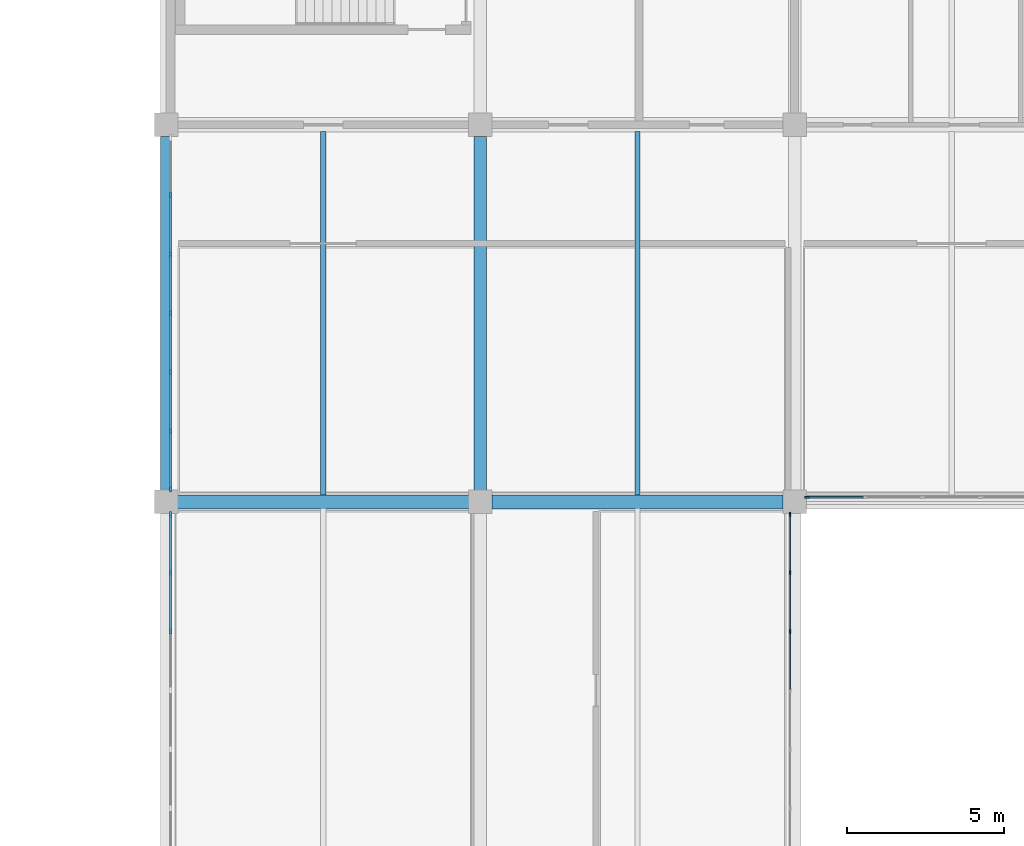
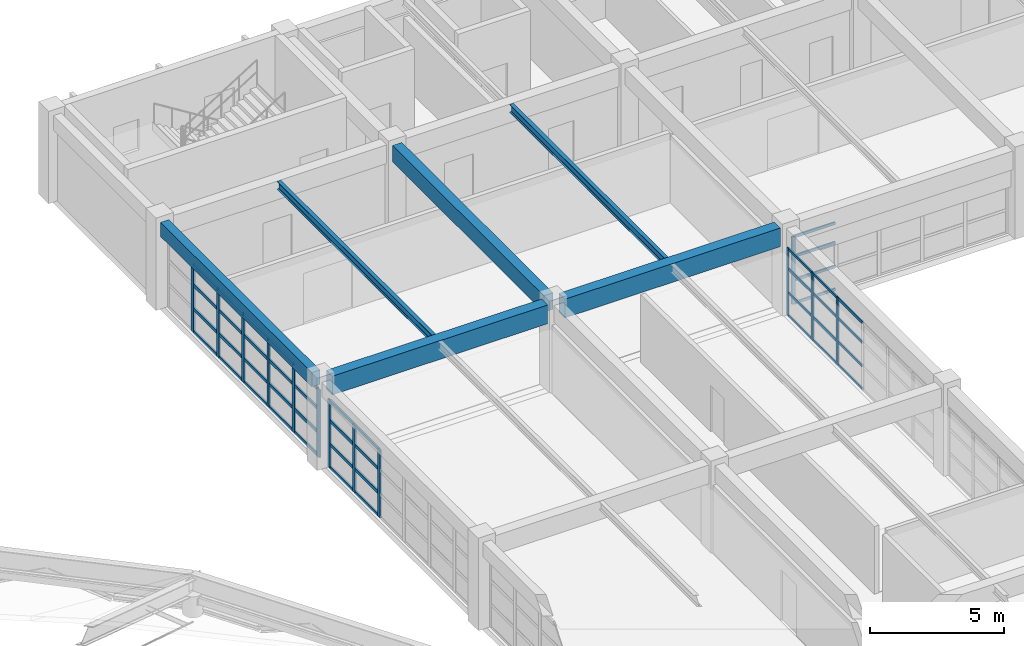
# One storey, part 33 of 83: 57 members, 6 beams, 4 elements without a shape of their own.
"""IFC4 building model written with IfcOpenShell, lengths in metres."""

from ifc_helpers import new_model, si_unit, direction, frame, origin, origin_2d, place, context, subcontext, project, spatial, rectangle, i_section, extrude, material, layer, layer_set, material_profile, profile_set, type_object, element, aggregate, save


model = new_model("IFC4")

# Units and contexts
model_context = context("Model", 3, precision=1e-05, world=origin(), true_north=direction((0.0, 1.0)))
body_context = subcontext(model_context, "Body", "Model", "MODEL_VIEW")
ifc_project = project(units=[si_unit("LENGTHUNIT", "METRE"), si_unit("AREAUNIT", "SQUARE_METRE"), si_unit("VOLUMEUNIT", "CUBIC_METRE"), si_unit("PLANEANGLEUNIT", "RADIAN"), si_unit("MASSUNIT", "GRAM", prefix="KILO")], contexts=[model_context])

# Site, building, storey
site_placement = place(None, origin())
site = spatial("IfcSite", under=ifc_project, at=site_placement, CompositionType="ELEMENT")
building_placement = place(site_placement, origin())
building = spatial("IfcBuilding", under=site, at=building_placement, Name="Kivolera Central Railway Station", CompositionType="ELEMENT")
storey_placement = place(building_placement, frame((0.0, 0.0, 14.39990234375)))
storey = spatial("IfcBuildingStorey", under=building, at=storey_placement, Name="L03", CompositionType="ELEMENT", Elevation=14.39990234375)

# Beams
ifc_material_1 = material(Name="Steel S355", Category="steel")
ifc_material_profile_1 = material_profile(ifc_material_1, i_section(OverallWidth=0.169921875, OverallDepth=0.360107421875, WebThickness=0.008056640625, FlangeThickness=0.0126953125, FilletRadius=0.01806640625, at=origin_2d()), Name="IPE 360")
ifc_profile_set_1 = profile_set([ifc_material_profile_1], Name="Steel S355")
beam_type_1 = type_object("IfcBeamType", Name="BM-JST-IPE360", PredefinedType="JOIST", material=ifc_profile_set_1)
for number, where, z_axis, x_axis, name in (
    (1, (123.0, 114.217041015625, 3.748046875), (0.0, 1.0, 0.0), (-1.0, 0.0, 0.0), "L03 Floor Joist 12-13/K-L"),
    (2, (133.0, 114.217041015625, 3.748046875), (0.0, 1.0, 0.0), (-1.0, 0.0, 0.0), "L03 Floor Joist 13-14/K-L"),
):
    element("IfcBeam", number, at=place(storey_placement, frame(where, z_axis=z_axis, x_axis=x_axis)), inside=storey, type_object=beam_type_1, Name=name, PredefinedType="JOIST", context=body_context, shape_type="SweptSolid", body=[
        extrude(i_section(OverallWidth=0.169921875, OverallDepth=0.360107421875, WebThickness=0.008056640625, FlangeThickness=0.0126953125, FilletRadius=0.01806640625, at=origin_2d()), origin(), (0.0, 0.0, 1.0), 11.56591796875),
    ])
ifc_material_2 = material(Name="Concrete C40/50", Category="concrete")
ifc_material_profile_2 = material_profile(ifc_material_2, rectangle(XDim=0.39990234375, YDim=0.75, at=origin_2d()), Name="RC 400x750")
ifc_profile_set_2 = profile_set([ifc_material_profile_2], Name="Concrete C40/50")
beam_type_2 = type_object("IfcBeamType", Name="BM-RC-400x750", PredefinedType="BEAM", material=ifc_profile_set_2)
beam_1_placement = place(storey_placement, frame((128.0, 114.366943359375, 3.565185546875), z_axis=(0.0, 1.0, 0.0), x_axis=(-1.0, 0.0, 0.0)))
element("IfcBeam", 3, at=beam_1_placement, inside=storey, type_object=beam_type_2, Name="L03 Wing Y-Beam 13:K-L", PredefinedType="BEAM", context=body_context, shape_type="SweptSolid", body=[
    extrude(rectangle(XDim=0.39990234375, YDim=0.75, at=origin_2d()), origin(), (0.0, 0.0, 1.0), 11.26611328125),
])
ifc_material_profile_3 = material_profile(ifc_material_2, rectangle(XDim=0.449951171875, YDim=0.85009765625, at=origin_2d()), Name="RC 450x850")
ifc_profile_set_3 = profile_set([ifc_material_profile_3], Name="Concrete C40/50")
beam_type_3 = type_object("IfcBeamType", Name="BM-RC-450x850", PredefinedType="BEAM", material=ifc_profile_set_3)
for number, where, z_axis, x_axis, name in (
    (4, (118.366943359375, 114.0, 3.51513671875), (1.0, 0.0, 0.0), (0.0, 1.0, 0.0), "L03 Wing X-Beam K:12-13"),
    (5, (128.366943359375, 114.0, 3.51513671875), (1.0, 0.0, 0.0), (0.0, 1.0, 0.0), "L03 Wing X-Beam K:13-14"),
):
    element("IfcBeam", number, at=place(storey_placement, frame(where, z_axis=z_axis, x_axis=x_axis)), inside=storey, type_object=beam_type_3, Name=name, PredefinedType="BEAM", context=body_context, shape_type="SweptSolid", body=[
        extrude(rectangle(XDim=0.449951171875, YDim=0.85009765625, at=origin_2d()), origin(), (0.0, 0.0, 1.0), 9.26611328125),
    ])
ifc_material_profile_4 = material_profile(ifc_material_2, rectangle(XDim=0.35009765625, YDim=0.64990234375, at=origin_2d()), Name="RC 350x650")
ifc_profile_set_4 = profile_set([ifc_material_profile_4], Name="Concrete C40/50")
beam_type_4 = type_object("IfcBeamType", Name="BM-SPN-RC650", PredefinedType="SPANDREL", material=ifc_profile_set_4)
beam_2_placement = place(storey_placement, frame((118.0, 114.366943359375, 3.614990234375), z_axis=(0.0, 1.0, 0.0), x_axis=(-1.0, 0.0, 0.0)))
element("IfcBeam", 6, at=beam_2_placement, inside=storey, type_object=beam_type_4, Name="L03 Wing Y-Beam 12:K-L", PredefinedType="SPANDREL", context=body_context, shape_type="SweptSolid", body=[
    extrude(rectangle(XDim=0.35009765625, YDim=0.64990234375, at=origin_2d()), origin(), (0.0, 0.0, 1.0), 11.26611328125),
])

# Curtain wall, members
ifc_material_3 = material(Name="Anodised aluminium", Category="aluminium")
ifc_layer_1 = layer(ifc_material_3, 0.179931640625, Name="Anodised aluminium")
ifc_layer_set_1 = layer_set([ifc_layer_1], Name="Anodised aluminium")
curtain_wall_type_1 = type_object("IfcCurtainWallType", Name="CW-SYS-30", PredefinedType="NOTDEFINED", material=ifc_layer_set_1)
curtain_wall_1_placement = place(storey_placement, origin())
curtain_wall_1 = element("IfcCurtainWall", 7, at=curtain_wall_1_placement, inside=storey, type_object=curtain_wall_type_1, Name="L03 Curtain Wall CW-L03-WEST-J", PredefinedType="NOTDEFINED")
ifc_material_profile_5 = material_profile(ifc_material_3, rectangle(XDim=0.070068359375, YDim=0.179931640625, at=origin_2d()), Name="ALU MULL 70x180")
ifc_profile_set_5 = profile_set([ifc_material_profile_5], Name="Anodised aluminium")
member_type_1 = type_object("IfcMemberType", Name="CWM-MUL-1", PredefinedType="MULLION", material=ifc_profile_set_5)
member_1_placement = place(storey_placement, frame((118.14501953125, 109.876708984375, -0.0048828125), z_axis=(0.0, 0.0, 1.0), x_axis=(-1.0, 0.0, 0.0)))
member_1 = element("IfcMember", 8, at=member_1_placement, type_object=member_type_1, Name="CW-30 mullion 5", PredefinedType="MULLION", context=body_context, shape_type="SweptSolid", body=[
    extrude(rectangle(XDim=0.070068359375, YDim=0.179931640625, at=origin_2d()), origin(), (0.0, 0.0, 1.0), 3.0830078125),
])
member_2_placement = place(storey_placement, frame((118.14501953125, 111.75341796875, -0.0048828125), z_axis=(0.0, 0.0, 1.0), x_axis=(-1.0, 0.0, 0.0)))
member_2 = element("IfcMember", 9, at=member_2_placement, type_object=member_type_1, Name="CW-30 mullion 6", PredefinedType="MULLION", context=body_context, shape_type="SweptSolid", body=[
    extrude(rectangle(XDim=0.070068359375, YDim=0.179931640625, at=origin_2d()), origin(), (0.0, 0.0, 1.0), 3.0830078125),
])
member_3_placement = place(storey_placement, frame((118.14501953125, 113.594970703125, -0.0048828125), z_axis=(0.0, 0.0, 1.0), x_axis=(-1.0, 0.0, 0.0)))
member_3 = element("IfcMember", 10, at=member_3_placement, type_object=member_type_1, Name="CW-30 mullion 7", PredefinedType="MULLION", context=body_context, shape_type="SweptSolid", body=[
    extrude(rectangle(XDim=0.070068359375, YDim=0.179931640625, at=origin_2d()), origin(), (0.0, 0.0, 1.0), 3.0830078125),
])

curtain_wall_2_placement = place(storey_placement, origin())
curtain_wall_2 = element("IfcCurtainWall", 11, at=curtain_wall_2_placement, inside=storey, type_object=curtain_wall_type_1, Name="L03 Curtain Wall CW-L03-WEST-K", PredefinedType="NOTDEFINED")
member_4_placement = place(storey_placement, frame((118.14501953125, 114.405029296875, -0.0048828125), z_axis=(0.0, 0.0, 1.0), x_axis=(-1.0, 0.0, 0.0)))
member_4 = element("IfcMember", 12, at=member_4_placement, type_object=member_type_1, Name="CW-30 mullion 1", PredefinedType="MULLION", context=body_context, shape_type="SweptSolid", body=[
    extrude(rectangle(XDim=0.070068359375, YDim=0.179931640625, at=origin_2d()), origin(), (0.0, 0.0, 1.0), 3.0830078125),
])
member_5_placement = place(storey_placement, frame((118.14501953125, 116.24658203125, -0.0048828125), z_axis=(0.0, 0.0, 1.0), x_axis=(-1.0, 0.0, 0.0)))
member_5 = element("IfcMember", 13, at=member_5_placement, type_object=member_type_1, Name="CW-30 mullion 2", PredefinedType="MULLION", context=body_context, shape_type="SweptSolid", body=[
    extrude(rectangle(XDim=0.070068359375, YDim=0.179931640625, at=origin_2d()), origin(), (0.0, 0.0, 1.0), 3.0830078125),
])
member_6_placement = place(storey_placement, frame((118.14501953125, 118.123291015625, -0.0048828125), z_axis=(0.0, 0.0, 1.0), x_axis=(-1.0, 0.0, 0.0)))
member_6 = element("IfcMember", 14, at=member_6_placement, type_object=member_type_1, Name="CW-30 mullion 3", PredefinedType="MULLION", context=body_context, shape_type="SweptSolid", body=[
    extrude(rectangle(XDim=0.070068359375, YDim=0.179931640625, at=origin_2d()), origin(), (0.0, 0.0, 1.0), 3.0830078125),
])
member_7_placement = place(storey_placement, frame((118.14501953125, 120.0, -0.0048828125), z_axis=(0.0, 0.0, 1.0), x_axis=(-1.0, 0.0, 0.0)))
member_7 = element("IfcMember", 15, at=member_7_placement, type_object=member_type_1, Name="CW-30 mullion 4", PredefinedType="MULLION", context=body_context, shape_type="SweptSolid", body=[
    extrude(rectangle(XDim=0.070068359375, YDim=0.179931640625, at=origin_2d()), origin(), (0.0, 0.0, 1.0), 3.0830078125),
])
member_8_placement = place(storey_placement, frame((118.14501953125, 121.876708984375, -0.0048828125), z_axis=(0.0, 0.0, 1.0), x_axis=(-1.0, 0.0, 0.0)))
member_8 = element("IfcMember", 16, at=member_8_placement, type_object=member_type_1, Name="CW-30 mullion 5", PredefinedType="MULLION", context=body_context, shape_type="SweptSolid", body=[
    extrude(rectangle(XDim=0.070068359375, YDim=0.179931640625, at=origin_2d()), origin(), (0.0, 0.0, 1.0), 3.0830078125),
])
member_9_placement = place(storey_placement, frame((118.14501953125, 123.75341796875, -0.0048828125), z_axis=(0.0, 0.0, 1.0), x_axis=(-1.0, 0.0, 0.0)))
member_9 = element("IfcMember", 17, at=member_9_placement, type_object=member_type_1, Name="CW-30 mullion 6", PredefinedType="MULLION", context=body_context, shape_type="SweptSolid", body=[
    extrude(rectangle(XDim=0.070068359375, YDim=0.179931640625, at=origin_2d()), origin(), (0.0, 0.0, 1.0), 3.0830078125),
])

# Curtain wall, member
ifc_layer_2 = layer(ifc_material_3, 0.179931640625, Name="Anodised aluminium")
ifc_layer_set_2 = layer_set([ifc_layer_2], Name="Anodised aluminium")
curtain_wall_type_2 = type_object("IfcCurtainWallType", Name="CW-SYS-29", PredefinedType="NOTDEFINED", material=ifc_layer_set_2)
curtain_wall_3_placement = place(storey_placement, origin())
curtain_wall_3 = element("IfcCurtainWall", 18, at=curtain_wall_3_placement, inside=storey, type_object=curtain_wall_type_2, Name="L03 Curtain Wall CW-L03-CRTN-138", PredefinedType="NOTDEFINED")
ifc_material_profile_6 = material_profile(ifc_material_3, rectangle(XDim=0.06005859375, YDim=0.14990234375, at=origin_2d()), Name="ALU MULL 60x150")
ifc_profile_set_6 = profile_set([ifc_material_profile_6], Name="Anodised aluminium")
member_type_2 = type_object("IfcMemberType", Name="CWM-MUL-2", PredefinedType="MULLION", material=ifc_profile_set_6)
member_10_placement = place(storey_placement, frame((138.39990234375, 114.14501953125, -0.0048828125), z_axis=(0.0, 0.0, 1.0), x_axis=(0.0, -1.0, 0.0)))
member_10 = element("IfcMember", 19, at=member_10_placement, type_object=member_type_2, Name="CW-29 mullion 6", PredefinedType="MULLION", context=body_context, shape_type="SweptSolid", body=[
    extrude(rectangle(XDim=0.06005859375, YDim=0.14990234375, at=origin_2d()), origin(), (0.0, 0.0, 1.0), 3.0830078125),
])

# Curtain wall, members
curtain_wall_4_placement = place(storey_placement, origin())
curtain_wall_4 = element("IfcCurtainWall", 20, at=curtain_wall_4_placement, inside=storey, type_object=curtain_wall_type_1, Name="L03 Curtain Wall CW-L03-CRTW-J", PredefinedType="NOTDEFINED")
member_11_placement = place(storey_placement, frame((137.85498046875, 113.60009765625, -0.0048828125), z_axis=(0.0, 0.0, 1.0), x_axis=(1.0, 0.0, 0.0)))
member_11 = element("IfcMember", 21, at=member_11_placement, type_object=member_type_2, Name="CW-30 mullion 1", PredefinedType="MULLION", context=body_context, shape_type="SweptSolid", body=[
    extrude(rectangle(XDim=0.06005859375, YDim=0.14990234375, at=origin_2d()), origin(), (0.0, 0.0, 1.0), 3.0830078125),
])
member_12_placement = place(storey_placement, frame((137.85498046875, 111.75341796875, -0.0048828125), z_axis=(0.0, 0.0, 1.0), x_axis=(1.0, 0.0, 0.0)))
member_12 = element("IfcMember", 22, at=member_12_placement, type_object=member_type_2, Name="CW-30 mullion 2", PredefinedType="MULLION", context=body_context, shape_type="SweptSolid", body=[
    extrude(rectangle(XDim=0.06005859375, YDim=0.14990234375, at=origin_2d()), origin(), (0.0, 0.0, 1.0), 3.0830078125),
])
member_13_placement = place(storey_placement, frame((137.85498046875, 109.876708984375, -0.0048828125), z_axis=(0.0, 0.0, 1.0), x_axis=(1.0, 0.0, 0.0)))
member_13 = element("IfcMember", 23, at=member_13_placement, type_object=member_type_2, Name="CW-30 mullion 3", PredefinedType="MULLION", context=body_context, shape_type="SweptSolid", body=[
    extrude(rectangle(XDim=0.06005859375, YDim=0.14990234375, at=origin_2d()), origin(), (0.0, 0.0, 1.0), 3.0830078125),
])

# Member
ifc_material_profile_7 = material_profile(ifc_material_3, rectangle(XDim=0.070068359375, YDim=0.139892578125, at=origin_2d()), Name="ALU TRAN 70x140")
ifc_profile_set_7 = profile_set([ifc_material_profile_7], Name="Anodised aluminium")
member_type_3 = type_object("IfcMemberType", Name="CWM-TRN-1", PredefinedType="USERDEFINED", material=ifc_profile_set_7)
member_14_placement = place(storey_placement, frame((118.14501953125, 109.91162109375, 0.03515625), z_axis=(0.0, 1.0, 0.0), x_axis=(-1.0, 0.0, 0.0)))
member_14 = element("IfcMember", 24, at=member_14_placement, type_object=member_type_3, Name="CW-30 transom 5.1", ObjectType="TRANSOM", PredefinedType="USERDEFINED", context=body_context, shape_type="SweptSolid", body=[
    extrude(rectangle(XDim=0.070068359375, YDim=0.139892578125, at=origin_2d()), origin(), (0.0, 0.0, 1.0), 1.806640625),
])

member_15_placement = place(storey_placement, frame((118.14501953125, 109.91162109375, 1.077392578125), z_axis=(0.0, 1.0, 0.0), x_axis=(-1.0, 0.0, 0.0)))
member_15 = element("IfcMember", 25, at=member_15_placement, type_object=member_type_3, Name="CW-30 transom 5.2", ObjectType="TRANSOM", PredefinedType="USERDEFINED", context=body_context, shape_type="SweptSolid", body=[
    extrude(rectangle(XDim=0.070068359375, YDim=0.139892578125, at=origin_2d()), origin(), (0.0, 0.0, 1.0), 1.806640625),
])

member_16_placement = place(storey_placement, frame((118.14501953125, 109.91162109375, 2.15478515625), z_axis=(0.0, 1.0, 0.0), x_axis=(-1.0, 0.0, 0.0)))
member_16 = element("IfcMember", 26, at=member_16_placement, type_object=member_type_3, Name="CW-30 transom 5.3", ObjectType="TRANSOM", PredefinedType="USERDEFINED", context=body_context, shape_type="SweptSolid", body=[
    extrude(rectangle(XDim=0.070068359375, YDim=0.139892578125, at=origin_2d()), origin(), (0.0, 0.0, 1.0), 1.806640625),
])

member_17_placement = place(storey_placement, frame((118.14501953125, 109.91162109375, 3.043212890625), z_axis=(0.0, 1.0, 0.0), x_axis=(-1.0, 0.0, 0.0)))
member_17 = element("IfcMember", 27, at=member_17_placement, type_object=member_type_3, Name="CW-30 transom 5.4", ObjectType="TRANSOM", PredefinedType="USERDEFINED", context=body_context, shape_type="SweptSolid", body=[
    extrude(rectangle(XDim=0.070068359375, YDim=0.139892578125, at=origin_2d()), origin(), (0.0, 0.0, 1.0), 1.806640625),
])

member_18_placement = place(storey_placement, frame((118.14501953125, 111.788330078125, 0.03515625), z_axis=(0.0, 1.0, 0.0), x_axis=(-1.0, 0.0, 0.0)))
member_18 = element("IfcMember", 28, at=member_18_placement, type_object=member_type_3, Name="CW-30 transom 6.1", ObjectType="TRANSOM", PredefinedType="USERDEFINED", context=body_context, shape_type="SweptSolid", body=[
    extrude(rectangle(XDim=0.070068359375, YDim=0.139892578125, at=origin_2d()), origin(), (0.0, 0.0, 1.0), 1.771728515625),
])

member_19_placement = place(storey_placement, frame((118.14501953125, 111.788330078125, 1.077392578125), z_axis=(0.0, 1.0, 0.0), x_axis=(-1.0, 0.0, 0.0)))
member_19 = element("IfcMember", 29, at=member_19_placement, type_object=member_type_3, Name="CW-30 transom 6.2", ObjectType="TRANSOM", PredefinedType="USERDEFINED", context=body_context, shape_type="SweptSolid", body=[
    extrude(rectangle(XDim=0.070068359375, YDim=0.139892578125, at=origin_2d()), origin(), (0.0, 0.0, 1.0), 1.771728515625),
])

member_20_placement = place(storey_placement, frame((118.14501953125, 111.788330078125, 2.15478515625), z_axis=(0.0, 1.0, 0.0), x_axis=(-1.0, 0.0, 0.0)))
member_20 = element("IfcMember", 30, at=member_20_placement, type_object=member_type_3, Name="CW-30 transom 6.3", ObjectType="TRANSOM", PredefinedType="USERDEFINED", context=body_context, shape_type="SweptSolid", body=[
    extrude(rectangle(XDim=0.070068359375, YDim=0.139892578125, at=origin_2d()), origin(), (0.0, 0.0, 1.0), 1.771728515625),
])

member_21_placement = place(storey_placement, frame((118.14501953125, 111.788330078125, 3.043212890625), z_axis=(0.0, 1.0, 0.0), x_axis=(-1.0, 0.0, 0.0)))
member_21 = element("IfcMember", 31, at=member_21_placement, type_object=member_type_3, Name="CW-30 transom 6.4", ObjectType="TRANSOM", PredefinedType="USERDEFINED", context=body_context, shape_type="SweptSolid", body=[
    extrude(rectangle(XDim=0.070068359375, YDim=0.139892578125, at=origin_2d()), origin(), (0.0, 0.0, 1.0), 1.771728515625),
])

aggregate(curtain_wall_1, [member_1, member_2, member_3, member_14, member_15, member_16, member_17, member_18, member_19, member_20, member_21])

member_22_placement = place(storey_placement, frame((118.14501953125, 114.43994140625, 0.03515625), z_axis=(0.0, 1.0, 0.0), x_axis=(-1.0, 0.0, 0.0)))
member_22 = element("IfcMember", 32, at=member_22_placement, type_object=member_type_3, Name="CW-30 transom 1.1", ObjectType="TRANSOM", PredefinedType="USERDEFINED", context=body_context, shape_type="SweptSolid", body=[
    extrude(rectangle(XDim=0.070068359375, YDim=0.139892578125, at=origin_2d()), origin(), (0.0, 0.0, 1.0), 1.771728515625),
])

member_23_placement = place(storey_placement, frame((118.14501953125, 114.43994140625, 1.077392578125), z_axis=(0.0, 1.0, 0.0), x_axis=(-1.0, 0.0, 0.0)))
member_23 = element("IfcMember", 33, at=member_23_placement, type_object=member_type_3, Name="CW-30 transom 1.2", ObjectType="TRANSOM", PredefinedType="USERDEFINED", context=body_context, shape_type="SweptSolid", body=[
    extrude(rectangle(XDim=0.070068359375, YDim=0.139892578125, at=origin_2d()), origin(), (0.0, 0.0, 1.0), 1.771728515625),
])

member_24_placement = place(storey_placement, frame((118.14501953125, 114.43994140625, 2.15478515625), z_axis=(0.0, 1.0, 0.0), x_axis=(-1.0, 0.0, 0.0)))
member_24 = element("IfcMember", 34, at=member_24_placement, type_object=member_type_3, Name="CW-30 transom 1.3", ObjectType="TRANSOM", PredefinedType="USERDEFINED", context=body_context, shape_type="SweptSolid", body=[
    extrude(rectangle(XDim=0.070068359375, YDim=0.139892578125, at=origin_2d()), origin(), (0.0, 0.0, 1.0), 1.771728515625),
])

member_25_placement = place(storey_placement, frame((118.14501953125, 114.43994140625, 3.043212890625), z_axis=(0.0, 1.0, 0.0), x_axis=(-1.0, 0.0, 0.0)))
member_25 = element("IfcMember", 35, at=member_25_placement, type_object=member_type_3, Name="CW-30 transom 1.4", ObjectType="TRANSOM", PredefinedType="USERDEFINED", context=body_context, shape_type="SweptSolid", body=[
    extrude(rectangle(XDim=0.070068359375, YDim=0.139892578125, at=origin_2d()), origin(), (0.0, 0.0, 1.0), 1.771728515625),
])

member_26_placement = place(storey_placement, frame((118.14501953125, 116.28173828125, 0.03515625), z_axis=(0.0, 1.0, 0.0), x_axis=(-1.0, 0.0, 0.0)))
member_26 = element("IfcMember", 36, at=member_26_placement, type_object=member_type_3, Name="CW-30 transom 2.1", ObjectType="TRANSOM", PredefinedType="USERDEFINED", context=body_context, shape_type="SweptSolid", body=[
    extrude(rectangle(XDim=0.070068359375, YDim=0.139892578125, at=origin_2d()), origin(), (0.0, 0.0, 1.0), 1.806640625),
])

member_27_placement = place(storey_placement, frame((118.14501953125, 116.28173828125, 1.077392578125), z_axis=(0.0, 1.0, 0.0), x_axis=(-1.0, 0.0, 0.0)))
member_27 = element("IfcMember", 37, at=member_27_placement, type_object=member_type_3, Name="CW-30 transom 2.2", ObjectType="TRANSOM", PredefinedType="USERDEFINED", context=body_context, shape_type="SweptSolid", body=[
    extrude(rectangle(XDim=0.070068359375, YDim=0.139892578125, at=origin_2d()), origin(), (0.0, 0.0, 1.0), 1.806640625),
])

member_28_placement = place(storey_placement, frame((118.14501953125, 116.28173828125, 2.15478515625), z_axis=(0.0, 1.0, 0.0), x_axis=(-1.0, 0.0, 0.0)))
member_28 = element("IfcMember", 38, at=member_28_placement, type_object=member_type_3, Name="CW-30 transom 2.3", ObjectType="TRANSOM", PredefinedType="USERDEFINED", context=body_context, shape_type="SweptSolid", body=[
    extrude(rectangle(XDim=0.070068359375, YDim=0.139892578125, at=origin_2d()), origin(), (0.0, 0.0, 1.0), 1.806640625),
])

member_29_placement = place(storey_placement, frame((118.14501953125, 116.28173828125, 3.043212890625), z_axis=(0.0, 1.0, 0.0), x_axis=(-1.0, 0.0, 0.0)))
member_29 = element("IfcMember", 39, at=member_29_placement, type_object=member_type_3, Name="CW-30 transom 2.4", ObjectType="TRANSOM", PredefinedType="USERDEFINED", context=body_context, shape_type="SweptSolid", body=[
    extrude(rectangle(XDim=0.070068359375, YDim=0.139892578125, at=origin_2d()), origin(), (0.0, 0.0, 1.0), 1.806640625),
])

member_30_placement = place(storey_placement, frame((118.14501953125, 118.158447265625, 0.03515625), z_axis=(0.0, 1.0, 0.0), x_axis=(-1.0, 0.0, 0.0)))
member_30 = element("IfcMember", 40, at=member_30_placement, type_object=member_type_3, Name="CW-30 transom 3.1", ObjectType="TRANSOM", PredefinedType="USERDEFINED", context=body_context, shape_type="SweptSolid", body=[
    extrude(rectangle(XDim=0.070068359375, YDim=0.139892578125, at=origin_2d()), origin(), (0.0, 0.0, 1.0), 1.806640625),
])

member_31_placement = place(storey_placement, frame((118.14501953125, 118.158447265625, 1.077392578125), z_axis=(0.0, 1.0, 0.0), x_axis=(-1.0, 0.0, 0.0)))
member_31 = element("IfcMember", 41, at=member_31_placement, type_object=member_type_3, Name="CW-30 transom 3.2", ObjectType="TRANSOM", PredefinedType="USERDEFINED", context=body_context, shape_type="SweptSolid", body=[
    extrude(rectangle(XDim=0.070068359375, YDim=0.139892578125, at=origin_2d()), origin(), (0.0, 0.0, 1.0), 1.806640625),
])

member_32_placement = place(storey_placement, frame((118.14501953125, 118.158447265625, 2.15478515625), z_axis=(0.0, 1.0, 0.0), x_axis=(-1.0, 0.0, 0.0)))
member_32 = element("IfcMember", 42, at=member_32_placement, type_object=member_type_3, Name="CW-30 transom 3.3", ObjectType="TRANSOM", PredefinedType="USERDEFINED", context=body_context, shape_type="SweptSolid", body=[
    extrude(rectangle(XDim=0.070068359375, YDim=0.139892578125, at=origin_2d()), origin(), (0.0, 0.0, 1.0), 1.806640625),
])

member_33_placement = place(storey_placement, frame((118.14501953125, 118.158447265625, 3.043212890625), z_axis=(0.0, 1.0, 0.0), x_axis=(-1.0, 0.0, 0.0)))
member_33 = element("IfcMember", 43, at=member_33_placement, type_object=member_type_3, Name="CW-30 transom 3.4", ObjectType="TRANSOM", PredefinedType="USERDEFINED", context=body_context, shape_type="SweptSolid", body=[
    extrude(rectangle(XDim=0.070068359375, YDim=0.139892578125, at=origin_2d()), origin(), (0.0, 0.0, 1.0), 1.806640625),
])

member_34_placement = place(storey_placement, frame((118.14501953125, 120.034912109375, 0.03515625), z_axis=(0.0, 1.0, 0.0), x_axis=(-1.0, 0.0, 0.0)))
member_34 = element("IfcMember", 44, at=member_34_placement, type_object=member_type_3, Name="CW-30 transom 4.1", ObjectType="TRANSOM", PredefinedType="USERDEFINED", context=body_context, shape_type="SweptSolid", body=[
    extrude(rectangle(XDim=0.070068359375, YDim=0.139892578125, at=origin_2d()), origin(), (0.0, 0.0, 1.0), 1.806640625),
])

member_35_placement = place(storey_placement, frame((118.14501953125, 120.034912109375, 1.077392578125), z_axis=(0.0, 1.0, 0.0), x_axis=(-1.0, 0.0, 0.0)))
member_35 = element("IfcMember", 45, at=member_35_placement, type_object=member_type_3, Name="CW-30 transom 4.2", ObjectType="TRANSOM", PredefinedType="USERDEFINED", context=body_context, shape_type="SweptSolid", body=[
    extrude(rectangle(XDim=0.070068359375, YDim=0.139892578125, at=origin_2d()), origin(), (0.0, 0.0, 1.0), 1.806640625),
])

member_36_placement = place(storey_placement, frame((118.14501953125, 120.034912109375, 2.15478515625), z_axis=(0.0, 1.0, 0.0), x_axis=(-1.0, 0.0, 0.0)))
member_36 = element("IfcMember", 46, at=member_36_placement, type_object=member_type_3, Name="CW-30 transom 4.3", ObjectType="TRANSOM", PredefinedType="USERDEFINED", context=body_context, shape_type="SweptSolid", body=[
    extrude(rectangle(XDim=0.070068359375, YDim=0.139892578125, at=origin_2d()), origin(), (0.0, 0.0, 1.0), 1.806640625),
])

member_37_placement = place(storey_placement, frame((118.14501953125, 120.034912109375, 3.043212890625), z_axis=(0.0, 1.0, 0.0), x_axis=(-1.0, 0.0, 0.0)))
member_37 = element("IfcMember", 47, at=member_37_placement, type_object=member_type_3, Name="CW-30 transom 4.4", ObjectType="TRANSOM", PredefinedType="USERDEFINED", context=body_context, shape_type="SweptSolid", body=[
    extrude(rectangle(XDim=0.070068359375, YDim=0.139892578125, at=origin_2d()), origin(), (0.0, 0.0, 1.0), 1.806640625),
])

member_38_placement = place(storey_placement, frame((118.14501953125, 121.91162109375, 0.03515625), z_axis=(0.0, 1.0, 0.0), x_axis=(-1.0, 0.0, 0.0)))
member_38 = element("IfcMember", 48, at=member_38_placement, type_object=member_type_3, Name="CW-30 transom 5.1", ObjectType="TRANSOM", PredefinedType="USERDEFINED", context=body_context, shape_type="SweptSolid", body=[
    extrude(rectangle(XDim=0.070068359375, YDim=0.139892578125, at=origin_2d()), origin(), (0.0, 0.0, 1.0), 1.806640625),
])

member_39_placement = place(storey_placement, frame((118.14501953125, 121.91162109375, 1.077392578125), z_axis=(0.0, 1.0, 0.0), x_axis=(-1.0, 0.0, 0.0)))
member_39 = element("IfcMember", 49, at=member_39_placement, type_object=member_type_3, Name="CW-30 transom 5.2", ObjectType="TRANSOM", PredefinedType="USERDEFINED", context=body_context, shape_type="SweptSolid", body=[
    extrude(rectangle(XDim=0.070068359375, YDim=0.139892578125, at=origin_2d()), origin(), (0.0, 0.0, 1.0), 1.806640625),
])

member_40_placement = place(storey_placement, frame((118.14501953125, 121.91162109375, 2.15478515625), z_axis=(0.0, 1.0, 0.0), x_axis=(-1.0, 0.0, 0.0)))
member_40 = element("IfcMember", 50, at=member_40_placement, type_object=member_type_3, Name="CW-30 transom 5.3", ObjectType="TRANSOM", PredefinedType="USERDEFINED", context=body_context, shape_type="SweptSolid", body=[
    extrude(rectangle(XDim=0.070068359375, YDim=0.139892578125, at=origin_2d()), origin(), (0.0, 0.0, 1.0), 1.806640625),
])

member_41_placement = place(storey_placement, frame((118.14501953125, 121.91162109375, 3.043212890625), z_axis=(0.0, 1.0, 0.0), x_axis=(-1.0, 0.0, 0.0)))
member_41 = element("IfcMember", 51, at=member_41_placement, type_object=member_type_3, Name="CW-30 transom 5.4", ObjectType="TRANSOM", PredefinedType="USERDEFINED", context=body_context, shape_type="SweptSolid", body=[
    extrude(rectangle(XDim=0.070068359375, YDim=0.139892578125, at=origin_2d()), origin(), (0.0, 0.0, 1.0), 1.806640625),
])

aggregate(curtain_wall_2, [member_4, member_5, member_6, member_7, member_8, member_9, member_22, member_23, member_24, member_25, member_26, member_27, member_28, member_29, member_30, member_31, member_32, member_33, member_34, member_35, member_36, member_37, member_38, member_39, member_40, member_41])

ifc_material_profile_8 = material_profile(ifc_material_3, rectangle(XDim=0.06005859375, YDim=0.1201171875, at=origin_2d()), Name="ALU TRAN 60x120")
ifc_profile_set_8 = profile_set([ifc_material_profile_8], Name="Anodised aluminium")
member_type_4 = type_object("IfcMemberType", Name="CWM-TRN-2", PredefinedType="USERDEFINED", material=ifc_profile_set_8)
member_42_placement = place(storey_placement, frame((140.19189453125, 114.14501953125, 0.030029296875), z_axis=(-1.0, 0.0, 0.0), x_axis=(0.0, -1.0, 0.0)))
member_42 = element("IfcMember", 52, at=member_42_placement, type_object=member_type_4, Name="CW-29 transom 5.1", ObjectType="TRANSOM", PredefinedType="USERDEFINED", context=body_context, shape_type="SweptSolid", body=[
    extrude(rectangle(XDim=0.06005859375, YDim=0.1201171875, at=origin_2d()), origin(), (0.0, 0.0, 1.0), 1.761962890625),
])

member_43_placement = place(storey_placement, frame((140.19189453125, 114.14501953125, 1.077392578125), z_axis=(-1.0, 0.0, 0.0), x_axis=(0.0, -1.0, 0.0)))
member_43 = element("IfcMember", 53, at=member_43_placement, type_object=member_type_4, Name="CW-29 transom 5.2", ObjectType="TRANSOM", PredefinedType="USERDEFINED", context=body_context, shape_type="SweptSolid", body=[
    extrude(rectangle(XDim=0.06005859375, YDim=0.1201171875, at=origin_2d()), origin(), (0.0, 0.0, 1.0), 1.761962890625),
])

member_44_placement = place(storey_placement, frame((140.19189453125, 114.14501953125, 2.15478515625), z_axis=(-1.0, 0.0, 0.0), x_axis=(0.0, -1.0, 0.0)))
member_44 = element("IfcMember", 54, at=member_44_placement, type_object=member_type_4, Name="CW-29 transom 5.3", ObjectType="TRANSOM", PredefinedType="USERDEFINED", context=body_context, shape_type="SweptSolid", body=[
    extrude(rectangle(XDim=0.06005859375, YDim=0.1201171875, at=origin_2d()), origin(), (0.0, 0.0, 1.0), 1.761962890625),
])

member_45_placement = place(storey_placement, frame((140.19189453125, 114.14501953125, 3.048095703125), z_axis=(-1.0, 0.0, 0.0), x_axis=(0.0, -1.0, 0.0)))
member_45 = element("IfcMember", 55, at=member_45_placement, type_object=member_type_4, Name="CW-29 transom 5.4", ObjectType="TRANSOM", PredefinedType="USERDEFINED", context=body_context, shape_type="SweptSolid", body=[
    extrude(rectangle(XDim=0.06005859375, YDim=0.1201171875, at=origin_2d()), origin(), (0.0, 0.0, 1.0), 1.761962890625),
])

aggregate(curtain_wall_3, [member_10, member_42, member_43, member_44, member_45])

member_46_placement = place(storey_placement, frame((137.85498046875, 113.570068359375, 0.030029296875), z_axis=(0.0, -1.0, 0.0), x_axis=(1.0, 0.0, 0.0)))
member_46 = element("IfcMember", 56, at=member_46_placement, type_object=member_type_4, Name="CW-30 transom 1.1", ObjectType="TRANSOM", PredefinedType="USERDEFINED", context=body_context, shape_type="SweptSolid", body=[
    extrude(rectangle(XDim=0.06005859375, YDim=0.1201171875, at=origin_2d()), origin(), (0.0, 0.0, 1.0), 1.78662109375),
])

member_47_placement = place(storey_placement, frame((137.85498046875, 113.570068359375, 1.077392578125), z_axis=(0.0, -1.0, 0.0), x_axis=(1.0, 0.0, 0.0)))
member_47 = element("IfcMember", 57, at=member_47_placement, type_object=member_type_4, Name="CW-30 transom 1.2", ObjectType="TRANSOM", PredefinedType="USERDEFINED", context=body_context, shape_type="SweptSolid", body=[
    extrude(rectangle(XDim=0.06005859375, YDim=0.1201171875, at=origin_2d()), origin(), (0.0, 0.0, 1.0), 1.78662109375),
])

member_48_placement = place(storey_placement, frame((137.85498046875, 113.570068359375, 2.15478515625), z_axis=(0.0, -1.0, 0.0), x_axis=(1.0, 0.0, 0.0)))
member_48 = element("IfcMember", 58, at=member_48_placement, type_object=member_type_4, Name="CW-30 transom 1.3", ObjectType="TRANSOM", PredefinedType="USERDEFINED", context=body_context, shape_type="SweptSolid", body=[
    extrude(rectangle(XDim=0.06005859375, YDim=0.1201171875, at=origin_2d()), origin(), (0.0, 0.0, 1.0), 1.78662109375),
])

member_49_placement = place(storey_placement, frame((137.85498046875, 113.570068359375, 3.048095703125), z_axis=(0.0, -1.0, 0.0), x_axis=(1.0, 0.0, 0.0)))
member_49 = element("IfcMember", 59, at=member_49_placement, type_object=member_type_4, Name="CW-30 transom 1.4", ObjectType="TRANSOM", PredefinedType="USERDEFINED", context=body_context, shape_type="SweptSolid", body=[
    extrude(rectangle(XDim=0.06005859375, YDim=0.1201171875, at=origin_2d()), origin(), (0.0, 0.0, 1.0), 1.78662109375),
])

member_50_placement = place(storey_placement, frame((137.85498046875, 111.723388671875, 0.030029296875), z_axis=(0.0, -1.0, 0.0), x_axis=(1.0, 0.0, 0.0)))
member_50 = element("IfcMember", 60, at=member_50_placement, type_object=member_type_4, Name="CW-30 transom 2.1", ObjectType="TRANSOM", PredefinedType="USERDEFINED", context=body_context, shape_type="SweptSolid", body=[
    extrude(rectangle(XDim=0.06005859375, YDim=0.1201171875, at=origin_2d()), origin(), (0.0, 0.0, 1.0), 1.816650390625),
])

member_51_placement = place(storey_placement, frame((137.85498046875, 111.723388671875, 1.077392578125), z_axis=(0.0, -1.0, 0.0), x_axis=(1.0, 0.0, 0.0)))
member_51 = element("IfcMember", 61, at=member_51_placement, type_object=member_type_4, Name="CW-30 transom 2.2", ObjectType="TRANSOM", PredefinedType="USERDEFINED", context=body_context, shape_type="SweptSolid", body=[
    extrude(rectangle(XDim=0.06005859375, YDim=0.1201171875, at=origin_2d()), origin(), (0.0, 0.0, 1.0), 1.816650390625),
])

member_52_placement = place(storey_placement, frame((137.85498046875, 111.723388671875, 2.15478515625), z_axis=(0.0, -1.0, 0.0), x_axis=(1.0, 0.0, 0.0)))
member_52 = element("IfcMember", 62, at=member_52_placement, type_object=member_type_4, Name="CW-30 transom 2.3", ObjectType="TRANSOM", PredefinedType="USERDEFINED", context=body_context, shape_type="SweptSolid", body=[
    extrude(rectangle(XDim=0.06005859375, YDim=0.1201171875, at=origin_2d()), origin(), (0.0, 0.0, 1.0), 1.816650390625),
])

member_53_placement = place(storey_placement, frame((137.85498046875, 111.723388671875, 3.048095703125), z_axis=(0.0, -1.0, 0.0), x_axis=(1.0, 0.0, 0.0)))
member_53 = element("IfcMember", 63, at=member_53_placement, type_object=member_type_4, Name="CW-30 transom 2.4", ObjectType="TRANSOM", PredefinedType="USERDEFINED", context=body_context, shape_type="SweptSolid", body=[
    extrude(rectangle(XDim=0.06005859375, YDim=0.1201171875, at=origin_2d()), origin(), (0.0, 0.0, 1.0), 1.816650390625),
])

member_54_placement = place(storey_placement, frame((137.85498046875, 109.8466796875, 0.030029296875), z_axis=(0.0, -1.0, 0.0), x_axis=(1.0, 0.0, 0.0)))
member_54 = element("IfcMember", 64, at=member_54_placement, type_object=member_type_4, Name="CW-30 transom 3.1", ObjectType="TRANSOM", PredefinedType="USERDEFINED", context=body_context, shape_type="SweptSolid", body=[
    extrude(rectangle(XDim=0.06005859375, YDim=0.1201171875, at=origin_2d()), origin(), (0.0, 0.0, 1.0), 1.816650390625),
])

member_55_placement = place(storey_placement, frame((137.85498046875, 109.8466796875, 1.077392578125), z_axis=(0.0, -1.0, 0.0), x_axis=(1.0, 0.0, 0.0)))
member_55 = element("IfcMember", 65, at=member_55_placement, type_object=member_type_4, Name="CW-30 transom 3.2", ObjectType="TRANSOM", PredefinedType="USERDEFINED", context=body_context, shape_type="SweptSolid", body=[
    extrude(rectangle(XDim=0.06005859375, YDim=0.1201171875, at=origin_2d()), origin(), (0.0, 0.0, 1.0), 1.816650390625),
])

member_56_placement = place(storey_placement, frame((137.85498046875, 109.8466796875, 2.15478515625), z_axis=(0.0, -1.0, 0.0), x_axis=(1.0, 0.0, 0.0)))
member_56 = element("IfcMember", 66, at=member_56_placement, type_object=member_type_4, Name="CW-30 transom 3.3", ObjectType="TRANSOM", PredefinedType="USERDEFINED", context=body_context, shape_type="SweptSolid", body=[
    extrude(rectangle(XDim=0.06005859375, YDim=0.1201171875, at=origin_2d()), origin(), (0.0, 0.0, 1.0), 1.816650390625),
])

member_57_placement = place(storey_placement, frame((137.85498046875, 109.8466796875, 3.048095703125), z_axis=(0.0, -1.0, 0.0), x_axis=(1.0, 0.0, 0.0)))
member_57 = element("IfcMember", 67, at=member_57_placement, type_object=member_type_4, Name="CW-30 transom 3.4", ObjectType="TRANSOM", PredefinedType="USERDEFINED", context=body_context, shape_type="SweptSolid", body=[
    extrude(rectangle(XDim=0.06005859375, YDim=0.1201171875, at=origin_2d()), origin(), (0.0, 0.0, 1.0), 1.816650390625),
])

aggregate(curtain_wall_4, [member_11, member_12, member_13, member_46, member_47, member_48, member_49, member_50, member_51, member_52, member_53, member_54, member_55, member_56, member_57])

save(model, "model.ifc")
